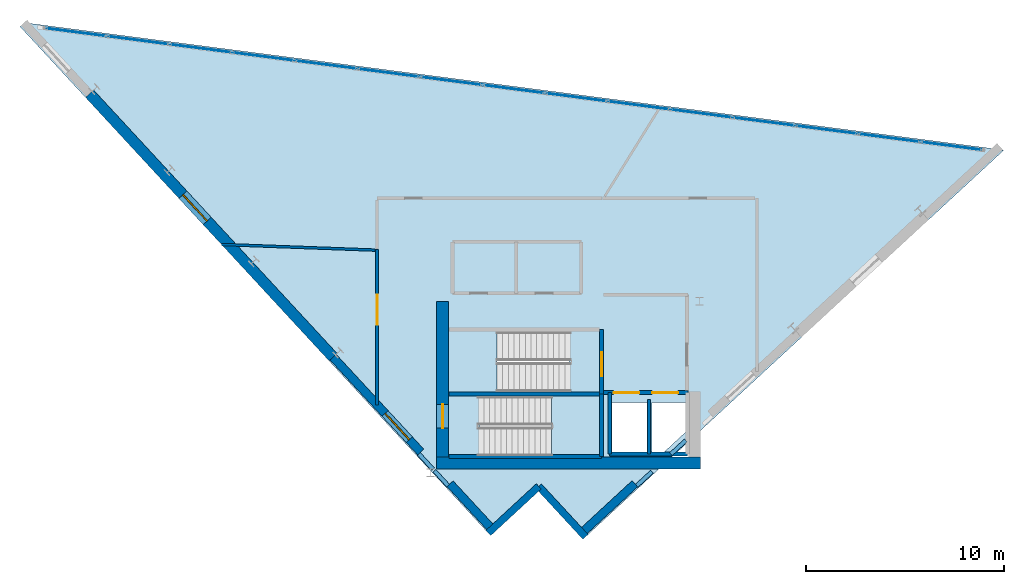
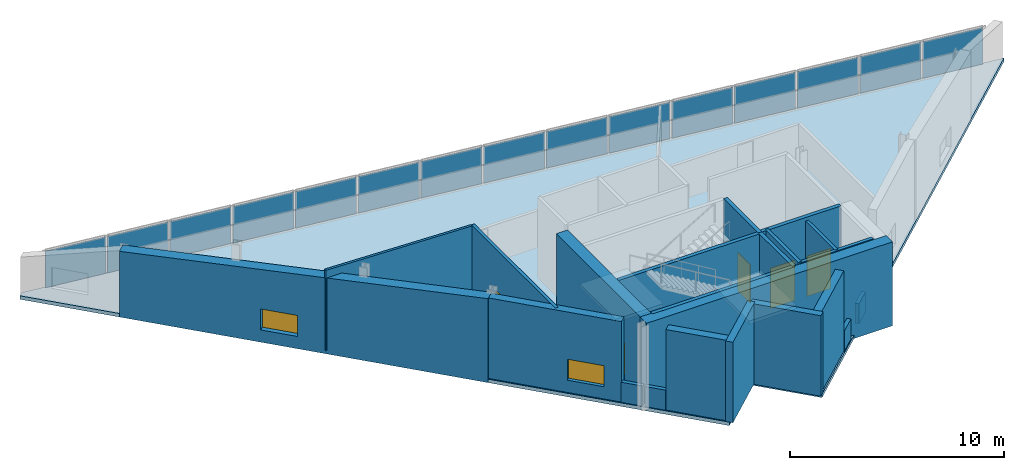
# One storey, part 5 of 7: 22 walls, 15 plates, 5 doors, 3 slabs, 2 windows, 7 openings, 3 elements without a shape of their own.
"""IFC4 building model written with IfcOpenShell, lengths in metres."""

from ifc_helpers import new_model, si_unit, direction, frame, frame_2d, origin, origin_2d, place, context, subcontext, project, spatial, polyline, rectangle, outline, extrude, material, layer, layer_set, type_object, element, fill, aggregate, save


model = new_model("IFC4")

# Units and contexts
model_context = context("Model", 3, precision=1e-05, world=origin(), true_north=direction((0.0, 1.0)))
body_context = subcontext(model_context, "Body", "Model", "MODEL_VIEW")
ifc_project = project(units=[si_unit("LENGTHUNIT", "METRE"), si_unit("AREAUNIT", "SQUARE_METRE"), si_unit("VOLUMEUNIT", "CUBIC_METRE"), si_unit("PLANEANGLEUNIT", "RADIAN"), si_unit("MASSUNIT", "GRAM", prefix="KILO")], contexts=[model_context])

# Site, building, storey
site_placement = place(None, origin())
site = spatial("IfcSite", under=ifc_project, at=site_placement, CompositionType="ELEMENT")
building_placement = place(site_placement, origin())
building = spatial("IfcBuilding", under=site, at=building_placement, Name="Narakoshi Arena Tower", CompositionType="ELEMENT")
storey_placement = place(building_placement, frame((0.0, 0.0, 312.580078125)))
storey = spatial("IfcBuildingStorey", under=building, at=storey_placement, Name="L84", CompositionType="ELEMENT", Elevation=312.580078125)

# Curtain wall, plates
ifc_material_1 = material(Name="Anodised bronze aluminium 6063-T6", Category="aluminium")
curtain_wall_type = type_object("IfcCurtainWallType", Name="CW-CRN-FACET", PredefinedType="NOTDEFINED", material=ifc_material_1)
curtain_wall_placement = place(storey_placement, origin())
curtain_wall = element("IfcCurtainWall", 1, at=curtain_wall_placement, inside=storey, type_object=curtain_wall_type, Name="L84 Slanted-Cut Crown Curtain Wall 5-1", PredefinedType="NOTDEFINED")
ifc_material_2 = material(Name="Bronze-tinted low-E laminated glass", Category="glass")
ifc_layer_1 = layer(ifc_material_2, 0.0439453125)
ifc_layer_set_1 = layer_set([ifc_layer_1], Name="Bronze-tinted low-E laminated glass")
plate_type = type_object("IfcPlateType", Name="PLT-GLZ-44", PredefinedType="CURTAIN_PANEL", material=ifc_layer_set_1)
plate_1_placement = place(storey_placement, frame((54.12939453125, 56.9140625, 0.06982421875), z_axis=(0.0, 0.0, 1.0), x_axis=(0.991658934211, -0.128889713319, 0.0)))
plate_1 = element("IfcPlate", 2, at=plate_1_placement, type_object=plate_type, Name="CW-06 panel 1.1", PredefinedType="CURTAIN_PANEL", context=body_context, shape_type="SweptSolid", body=[
    extrude(rectangle(XDim=3.060791015625, YDim=0.0439453125, at=origin_2d()), origin(), (0.0, 0.0, 1.0), 2.081787109375),
])
plate_2_placement = place(storey_placement, frame((57.263671875, 56.506591796875, 0.06982421875), z_axis=(0.0, 0.0, 1.0), x_axis=(0.991658934211, -0.128889713319, 0.0)))
plate_2 = element("IfcPlate", 3, at=plate_2_placement, type_object=plate_type, Name="CW-06 panel 2.1", PredefinedType="CURTAIN_PANEL", context=body_context, shape_type="SweptSolid", body=[
    extrude(rectangle(XDim=3.1005859375, YDim=0.0439453125, at=origin_2d()), origin(), (0.0, 0.0, 1.0), 2.081787109375),
])
plate_3_placement = place(storey_placement, frame((60.41796875, 56.0966796875, 0.06982421875), z_axis=(0.0, 0.0, 1.0), x_axis=(0.991658934211, -0.128889713319, 0.0)))
plate_3 = element("IfcPlate", 4, at=plate_3_placement, type_object=plate_type, Name="CW-06 panel 3.1", PredefinedType="CURTAIN_PANEL", context=body_context, shape_type="SweptSolid", body=[
    extrude(rectangle(XDim=3.1005859375, YDim=0.0439453125, at=origin_2d()), origin(), (0.0, 0.0, 1.0), 2.081787109375),
])
plate_4_placement = place(storey_placement, frame((63.572021484375, 55.6865234375, 0.06982421875), z_axis=(0.0, 0.0, 1.0), x_axis=(0.991658934211, -0.128889713319, 0.0)))
plate_4 = element("IfcPlate", 5, at=plate_4_placement, type_object=plate_type, Name="CW-06 panel 4.1", PredefinedType="CURTAIN_PANEL", context=body_context, shape_type="SweptSolid", body=[
    extrude(rectangle(XDim=3.1005859375, YDim=0.0439453125, at=origin_2d()), origin(), (0.0, 0.0, 1.0), 2.081787109375),
])
plate_5_placement = place(storey_placement, frame((66.726318359375, 55.276611328125, 0.06982421875), z_axis=(0.0, 0.0, 1.0), x_axis=(0.991658934211, -0.128889713319, 0.0)))
plate_5 = element("IfcPlate", 6, at=plate_5_placement, type_object=plate_type, Name="CW-06 panel 5.1", PredefinedType="CURTAIN_PANEL", context=body_context, shape_type="SweptSolid", body=[
    extrude(rectangle(XDim=3.1005859375, YDim=0.0439453125, at=origin_2d()), origin(), (0.0, 0.0, 1.0), 2.081787109375),
])
plate_6_placement = place(storey_placement, frame((69.88037109375, 54.86669921875, 0.06982421875), z_axis=(0.0, 0.0, 1.0), x_axis=(0.991658934211, -0.128889713319, 0.0)))
plate_6 = element("IfcPlate", 7, at=plate_6_placement, type_object=plate_type, Name="CW-06 panel 6.1", PredefinedType="CURTAIN_PANEL", context=body_context, shape_type="SweptSolid", body=[
    extrude(rectangle(XDim=3.1005859375, YDim=0.0439453125, at=origin_2d()), origin(), (0.0, 0.0, 1.0), 2.081787109375),
])
plate_7_placement = place(storey_placement, frame((73.03466796875, 54.456787109375, 0.06982421875), z_axis=(0.0, 0.0, 1.0), x_axis=(0.991658934211, -0.128889713319, 0.0)))
plate_7 = element("IfcPlate", 8, at=plate_7_placement, type_object=plate_type, Name="CW-06 panel 7.1", PredefinedType="CURTAIN_PANEL", context=body_context, shape_type="SweptSolid", body=[
    extrude(rectangle(XDim=3.1005859375, YDim=0.0439453125, at=origin_2d()), origin(), (0.0, 0.0, 1.0), 2.081787109375),
])
plate_8_placement = place(storey_placement, frame((76.188720703125, 54.046875, 0.06982421875), z_axis=(0.0, 0.0, 1.0), x_axis=(0.991658934211, -0.128889713319, 0.0)))
plate_8 = element("IfcPlate", 9, at=plate_8_placement, type_object=plate_type, Name="CW-06 panel 8.1", PredefinedType="CURTAIN_PANEL", context=body_context, shape_type="SweptSolid", body=[
    extrude(rectangle(XDim=3.1005859375, YDim=0.0439453125, at=origin_2d()), origin(), (0.0, 0.0, 1.0), 2.081787109375),
])
plate_9_placement = place(storey_placement, frame((79.343017578125, 53.63671875, 0.06982421875), z_axis=(0.0, 0.0, 1.0), x_axis=(0.991658934211, -0.128889713319, 0.0)))
plate_9 = element("IfcPlate", 10, at=plate_9_placement, type_object=plate_type, Name="CW-06 panel 9.1", PredefinedType="CURTAIN_PANEL", context=body_context, shape_type="SweptSolid", body=[
    extrude(rectangle(XDim=3.1005859375, YDim=0.0439453125, at=origin_2d()), origin(), (0.0, 0.0, 1.0), 2.081787109375),
])
plate_10_placement = place(storey_placement, frame((82.4970703125, 53.226806640625, 0.06982421875), z_axis=(0.0, 0.0, 1.0), x_axis=(0.991658934211, -0.128889713319, 0.0)))
plate_10 = element("IfcPlate", 11, at=plate_10_placement, type_object=plate_type, Name="CW-06 panel 10.1", PredefinedType="CURTAIN_PANEL", context=body_context, shape_type="SweptSolid", body=[
    extrude(rectangle(XDim=3.1005859375, YDim=0.0439453125, at=origin_2d()), origin(), (0.0, 0.0, 1.0), 2.081787109375),
])
plate_11_placement = place(storey_placement, frame((85.6513671875, 52.81689453125, 0.06982421875), z_axis=(0.0, 0.0, 1.0), x_axis=(0.991658934211, -0.128889713319, 0.0)))
plate_11 = element("IfcPlate", 12, at=plate_11_placement, type_object=plate_type, Name="CW-06 panel 11.1", PredefinedType="CURTAIN_PANEL", context=body_context, shape_type="SweptSolid", body=[
    extrude(rectangle(XDim=3.1005859375, YDim=0.0439453125, at=origin_2d()), origin(), (0.0, 0.0, 1.0), 2.081787109375),
])
plate_12_placement = place(storey_placement, frame((88.805419921875, 52.406982421875, 0.06982421875), z_axis=(0.0, 0.0, 1.0), x_axis=(0.991658934211, -0.128889713319, 0.0)))
plate_12 = element("IfcPlate", 13, at=plate_12_placement, type_object=plate_type, Name="CW-06 panel 12.1", PredefinedType="CURTAIN_PANEL", context=body_context, shape_type="SweptSolid", body=[
    extrude(rectangle(XDim=3.1005859375, YDim=0.0439453125, at=origin_2d()), origin(), (0.0, 0.0, 1.0), 2.081787109375),
])
plate_13_placement = place(storey_placement, frame((91.959716796875, 51.9970703125, 0.06982421875), z_axis=(0.0, 0.0, 1.0), x_axis=(0.991658934211, -0.128889713319, 0.0)))
plate_13 = element("IfcPlate", 14, at=plate_13_placement, type_object=plate_type, Name="CW-06 panel 13.1", PredefinedType="CURTAIN_PANEL", context=body_context, shape_type="SweptSolid", body=[
    extrude(rectangle(XDim=3.1005859375, YDim=0.0439453125, at=origin_2d()), origin(), (0.0, 0.0, 1.0), 2.081787109375),
])
plate_14_placement = place(storey_placement, frame((95.11376953125, 51.587158203125, 0.06982421875), z_axis=(0.0, 0.0, 1.0), x_axis=(0.991658934211, -0.128889713319, 0.0)))
plate_14 = element("IfcPlate", 15, at=plate_14_placement, type_object=plate_type, Name="CW-06 panel 14.1", PredefinedType="CURTAIN_PANEL", context=body_context, shape_type="SweptSolid", body=[
    extrude(rectangle(XDim=3.1005859375, YDim=0.0439453125, at=origin_2d()), origin(), (0.0, 0.0, 1.0), 2.081787109375),
])
plate_15_placement = place(storey_placement, frame((98.248291015625, 51.1796875, 0.06982421875), z_axis=(0.0, 0.0, 1.0), x_axis=(0.991658934211, -0.128889713319, 0.0)))
plate_15 = element("IfcPlate", 16, at=plate_15_placement, type_object=plate_type, Name="CW-06 panel 15.1", PredefinedType="CURTAIN_PANEL", context=body_context, shape_type="SweptSolid", body=[
    extrude(rectangle(XDim=3.060791015625, YDim=0.0439453125, at=origin_2d()), origin(), (0.0, 0.0, 1.0), 2.081787109375),
])
aggregate(curtain_wall, [plate_1, plate_2, plate_3, plate_4, plate_5, plate_6, plate_7, plate_8, plate_9, plate_10, plate_11, plate_12, plate_13, plate_14, plate_15])

# Stair, slab
ifc_material_3 = material(Name="Concrete C45/55", Category="concrete")
stair_type = type_object("IfcStairType", Name="STR-CRN-480", PredefinedType="TWO_STRAIGHT_RUN_STAIR", material=ifc_material_3)
stair_1_placement = place(storey_placement, origin())
stair_1 = element("IfcStair", 17, at=stair_1_placement, inside=storey, type_object=stair_type, Name="L84 Core Escape Stair ST1", PredefinedType="TWO_STRAIGHT_RUN_STAIR")
ifc_layer_2 = layer(ifc_material_3, 0.18994140625)
ifc_layer_set_2 = layer_set([ifc_layer_2], Name="Concrete C45/55")
slab_type_1 = type_object("IfcSlabType", Name="SLB-LND-190", PredefinedType="LANDING", material=ifc_layer_set_2)
slab_1_placement = place(storey_placement, frame((0.0, 0.0, 2.2099609375)))
slab_1 = element("IfcSlab", 18, at=slab_1_placement, type_object=slab_type_1, Name="ST1 landing 1", PredefinedType="LANDING", context=body_context, shape_type="SweptSolid", body=[
    extrude(outline(polyline([(78.10498046875, 35.3701171875), (80.679931640625, 35.3701171875), (80.679931640625, 38.72998046875), (78.10498046875, 38.72998046875), (78.10498046875, 35.3701171875)])), origin(), (0.0, 0.0, 1.0), 0.18994140625),
])
aggregate(stair_1, [slab_1])

stair_2_placement = place(storey_placement, origin())
stair_2 = element("IfcStair", 19, at=stair_2_placement, inside=storey, type_object=stair_type, Name="L84 Core Escape Stair ST2", PredefinedType="TWO_STRAIGHT_RUN_STAIR")
slab_2_placement = place(storey_placement, frame((0.0, 0.0, 2.2099609375)))
slab_2 = element("IfcSlab", 20, at=slab_2_placement, type_object=slab_type_1, Name="ST2 landing 1", PredefinedType="LANDING", context=body_context, shape_type="SweptSolid", body=[
    extrude(outline(polyline([(72.77001953125, 38.6201171875), (75.344970703125, 38.6201171875), (75.344970703125, 41.97998046875), (72.77001953125, 41.97998046875), (72.77001953125, 38.6201171875)])), origin(), (0.0, 0.0, 1.0), 0.18994140625),
])
aggregate(stair_2, [slab_2])

# Slab
ifc_layer_3 = layer(ifc_material_3, 0.199951171875)
ifc_layer_set_3 = layer_set([ifc_layer_3], Name="Concrete C45/55")
slab_type_2 = type_object("IfcSlabType", Name="SLB-TWR-200", PredefinedType="FLOOR", material=ifc_layer_set_3)
slab_3_placement = place(storey_placement, frame((0.0, 0.0, -0.2001953125)))
element("IfcSlab", 21, at=slab_3_placement, inside=storey, type_object=slab_type_2, Name="L84 Structural Floor Slab", PredefinedType="FLOOR", context=body_context, shape_type="SweptSolid", body=[
    extrude(outline(polyline([(79.8056640625, 31.47216796875), (77.45068359375, 34.01953125), (74.9033203125, 31.664794921875), (51.298095703125, 57.200439453125), (51.50927734375, 57.395751953125), (100.904296875, 50.9755859375), (79.8056640625, 31.47216796875)]), holes=[polyline([(80.5, 38.550048828125), (80.5, 35.550048828125), (74.47998046875, 35.550048828125), (74.47998046875, 38.550048828125), (80.5, 38.550048828125)]), polyline([(82.89990234375, 38.25), (82.89990234375, 35.75), (81.14990234375, 35.75), (81.14990234375, 38.25), (82.89990234375, 38.25)]), polyline([(84.89990234375, 38.25), (84.89990234375, 36.794189453125), (83.7705078125, 35.75), (83.14990234375, 35.75), (83.14990234375, 38.25), (84.89990234375, 38.25)]), polyline([(78.969970703125, 41.800048828125), (78.969970703125, 38.800048828125), (72.949951171875, 38.800048828125), (72.949951171875, 41.800048828125), (78.969970703125, 41.800048828125)])]), origin(), (0.0, 0.0, 1.0), 0.2001953125),
])

# Wall, opening, door
ifc_material_4 = material(Name="Concrete C50/60", Category="concrete")
ifc_layer_4 = layer(ifc_material_4, 0.60009765625)
ifc_layer_set_4 = layer_set([ifc_layer_4], Name="Concrete C50/60")
wall_type_1 = type_object("IfcWallType", Name="WL-CORE-600", PredefinedType="SHEAR", material=ifc_layer_set_4)
wall_1_placement = place(storey_placement, frame((72.60009765625, 35.5, -0.2001953125), z_axis=(0.0, 0.0, 1.0), x_axis=(0.0, 1.0, 0.0)))
wall_1 = element("IfcWall", 22, at=wall_1_placement, inside=storey, type_object=wall_type_1, Name="L84 Central Core Shear Wall CW-APX-W", PredefinedType="SHEAR", context=body_context, shape_type="SweptSolid", body=[
    extrude(rectangle(XDim=7.85009765625, YDim=0.60009765625, at=frame_2d((3.925048828125, 0.0))), origin(), (0.0, 0.0, 1.0), 4.800048828125),
])
opening_1_placement = place(wall_1_placement, frame((1.449951171875, 0.0, 0.199951171875)))
opening_1 = element("IfcOpeningElement", 23, at=opening_1_placement, cuts=wall_1, Name="Opening D-03", PredefinedType="OPENING", context=body_context, shape_type="SweptSolid", body=[
    extrude(rectangle(XDim=1.199951171875, YDim=2.199951171875, at=frame_2d((0.60009765625, 1.10009765625))), frame((0.0, 0.31005859375, 0.0), z_axis=(0.0, -1.0, 0.0), x_axis=(1.0, 0.0, 0.0)), (0.0, 0.0, 1.0), 0.6201171875),
])
ifc_material_5 = material(Name="Painted galvanized steel", Category="steel")
door_type_1 = type_object("IfcDoorType", Name="DR-STR-1200", OperationType="NOTDEFINED", PredefinedType="USERDEFINED", material=ifc_material_5)
door_1_placement = place(opening_1_placement, frame((1.199951171875, 0.0, 0.0), z_axis=(0.0, 0.0, 1.0), x_axis=(-1.0, 0.0, 0.0)))
door_1 = element("IfcDoor", 24, at=door_1_placement, inside=storey, type_object=door_type_1, Name="DR-L84-001", ObjectType="EXITDOOR", OperationType="SINGLE_SWING_LEFT", OverallHeight=2.199951171875, OverallWidth=1.199951171875, PredefinedType="USERDEFINED", context=body_context, shape_type="SweptSolid", body=[
    extrude(rectangle(XDim=1.199951171875, YDim=2.199951171875, at=frame_2d((0.60009765625, 1.10009765625))), frame((0.0, 0.02490234375, 0.0), z_axis=(0.0, -1.0, 0.0), x_axis=(1.0, 0.0, 0.0)), (0.0, 0.0, 1.0), 0.050048828125),
])
fill(opening_1, door_1)

# Wall
wall_2_placement = place(storey_placement, frame((72.300048828125, 35.199951171875, -0.2001953125), z_axis=(0.0, 0.0, 1.0), x_axis=(1.0, 0.0, 0.0)))
element("IfcWall", 25, at=wall_2_placement, inside=storey, type_object=wall_type_1, Name="L84 Central Core Shear Wall CW-APX-S", PredefinedType="SHEAR", context=body_context, shape_type="SweptSolid", body=[
    extrude(rectangle(XDim=13.300048828125, YDim=0.60009765625, at=frame_2d((6.64990234375, 0.0))), origin(), (0.0, 0.0, 1.0), 4.800048828125),
])

# Wall, opening, door
ifc_material_6 = material(Name="Gypsum plasterboard fire-rated partition")
ifc_layer_5 = layer(ifc_material_6, 0.1650390625)
ifc_layer_set_5 = layer_set([ifc_layer_5], Name="Gypsum plasterboard fire-rated partition")
wall_type_2 = type_object("IfcWallType", Name="WL-CORR-165", PredefinedType="PARTITIONING", material=ifc_layer_set_5)
wall_3_placement = place(storey_placement, frame((69.300048828125, 45.961181640625, 0.0), z_axis=(0.0, 0.0, 1.0), x_axis=(0.0, -1.0, 0.0)))
wall_3 = element("IfcWall", 26, at=wall_3_placement, inside=storey, type_object=wall_type_2, Name="L84 Corridor Partition 01-1", PredefinedType="PARTITIONING", context=body_context, shape_type="SweptSolid", body=[
    extrude(rectangle(XDim=7.85205078125, YDim=0.1650390625, at=frame_2d((3.926025390625, 0.0))), origin(), (0.0, 0.0, 1.0), 4.599853515625),
])
opening_2_placement = place(wall_3_placement, frame((2.283203125, 0.0, 0.0)))
opening_2 = element("IfcOpeningElement", 27, at=opening_2_placement, cuts=wall_3, Name="Opening D-09", PredefinedType="OPENING", context=body_context, shape_type="SweptSolid", body=[
    extrude(rectangle(XDim=1.5, YDim=2.25, at=frame_2d((0.75, 1.125))), frame((0.0, 0.092529296875, 0.0), z_axis=(0.0, -1.0, 0.0), x_axis=(1.0, 0.0, 0.0)), (0.0, 0.0, 1.0), 0.18505859375),
])
door_type_2 = type_object("IfcDoorType", Name="DR-PLT-1500", OperationType="DOUBLE_DOOR_SINGLE_SWING", PredefinedType="DOOR", material=ifc_material_5)
door_2_placement = place(opening_2_placement, frame((1.5, 0.0, 0.0), z_axis=(0.0, 0.0, 1.0), x_axis=(-1.0, 0.0, 0.0)))
door_2 = element("IfcDoor", 28, at=door_2_placement, inside=storey, type_object=door_type_2, Name="DR-L84-008", OperationType="DOUBLE_DOOR_SINGLE_SWING", OverallHeight=2.25, OverallWidth=1.5, PredefinedType="DOOR", context=body_context, shape_type="SweptSolid", body=[
    extrude(rectangle(XDim=1.5, YDim=2.25, at=frame_2d((0.75, 1.125))), frame((0.0, 0.02490234375, 0.0), z_axis=(0.0, -1.0, 0.0), x_axis=(1.0, 0.0, 0.0)), (0.0, 0.0, 1.0), 0.050048828125),
])
fill(opening_2, door_2)

# Wall, opening, window
ifc_layer_6 = layer(ifc_material_4, 0.550048828125)
ifc_layer_set_6 = layer_set([ifc_layer_6], Name="Concrete C50/60")
wall_type_3 = type_object("IfcWallType", Name="WL-LEG-550", PredefinedType="SHEAR", material=ifc_layer_set_6)
wall_4_placement = place(storey_placement, frame((54.804931640625, 53.81201171875, -0.2001953125), z_axis=(0.0, 0.0, 1.0), x_axis=(0.678803115619, -0.734320318543, 0.0)))
wall_4 = element("IfcWall", 29, at=wall_4_placement, inside=storey, type_object=wall_type_3, Name="L84 Architectural Concrete Structural Wall LEGB-2", PredefinedType="SHEAR", context=body_context, shape_type="SweptSolid", body=[
    extrude(outline(polyline([(0.0, 0.0), (18.082763671875, 0.0), (18.082763671875, 4.800048828125), (0.0, 3.755126953125), (0.0, 0.0)])), frame((0.0, 0.27490234375, 0.0), z_axis=(0.0, -1.0, 0.0), x_axis=(1.0, 0.0, 0.0)), (0.0, 0.0, 1.0), 0.550048828125),
])
opening_3_placement = place(wall_4_placement, frame((6.934326171875, 0.0, 0.699951171875)))
opening_3 = element("IfcOpeningElement", 30, at=opening_3_placement, cuts=wall_4, Name="Opening WN-05", PredefinedType="OPENING", context=body_context, shape_type="SweptSolid", body=[
    extrude(rectangle(XDim=1.800048828125, YDim=1.199951171875, at=frame_2d((0.89990234375, 0.60009765625))), frame((0.0, 0.284912109375, 0.0), z_axis=(0.0, -1.0, 0.0), x_axis=(1.0, 0.0, 0.0)), (0.0, 0.0, 1.0), 0.570068359375),
])
window_type = type_object("IfcWindowType", Name="WIN-SLT-18x12", PartitioningType="SINGLE_PANEL", PredefinedType="WINDOW", material=ifc_material_2)
window_1_placement = place(opening_3_placement, origin())
window_1 = element("IfcWindow", 31, at=window_1_placement, inside=storey, type_object=window_type, Name="L84 LEGB2 Horizontal Slot Window 1", OverallHeight=1.199951171875, OverallWidth=1.800048828125, PartitioningType="SINGLE_PANEL", PredefinedType="WINDOW", context=body_context, shape_type="SweptSolid", body=[
    extrude(rectangle(XDim=1.800048828125, YDim=1.199951171875, at=frame_2d((0.89990234375, 0.60009765625))), frame((0.0, 0.030029296875, 0.0), z_axis=(0.0, -1.0, 0.0), x_axis=(1.0, 0.0, 0.0)), (0.0, 0.0, 1.0), 0.06005859375),
])
fill(opening_3, window_1)

# Walls
ifc_material_7 = material(Name="Precast concrete C45/55", Category="concrete")
ifc_layer_7 = layer(ifc_material_7, 0.25)
ifc_layer_set_7 = layer_set([ifc_layer_7], Name="Precast concrete C45/55")
wall_type_4 = type_object("IfcWallType", Name="WL-PARA-250", PredefinedType="PARAPET", material=ifc_layer_set_7)
wall_5_placement = place(storey_placement, frame((72.881103515625, 34.058349609375, 0.0), z_axis=(0.0, 0.0, 1.0), x_axis=(-0.678872530156, 0.734256145905, 0.0)))
element("IfcWall", 32, at=wall_5_placement, inside=storey, type_object=wall_type_4, Name="L84 Crown Sill Upstand Parapet 01", PredefinedType="PARAPET", context=body_context, shape_type="SweptSolid", body=[
    extrude(rectangle(XDim=1.009521484375, YDim=0.199951171875, at=frame_2d((0.5048828125, 0.0))), origin(), (0.0, 0.0, 1.0), 1.14990234375),
])
wall_6_placement = place(storey_placement, frame((72.114990234375, 34.88720703125, 0.0), z_axis=(0.0, 0.0, 1.0), x_axis=(-0.678713667452, 0.734402994012, 0.0)))
element("IfcWall", 33, at=wall_6_placement, inside=storey, type_object=wall_type_4, Name="L84 Crown Sill Upstand Parapet 02", PredefinedType="PARAPET", context=body_context, shape_type="SweptSolid", body=[
    extrude(rectangle(XDim=1.05224609375, YDim=0.199951171875, at=frame_2d((0.526123046875, 0.0))), origin(), (0.0, 0.0, 1.0), 1.14990234375),
])
wall_7_placement = place(storey_placement, frame((84.860107421875, 36.3349609375, 0.0), z_axis=(0.0, 0.0, 1.0), x_axis=(-0.734337093013, -0.678784968768, 0.0)))
element("IfcWall", 34, at=wall_7_placement, inside=storey, type_object=wall_type_4, Name="L84 Crown Sill Upstand Parapet 05", PredefinedType="PARAPET", context=body_context, shape_type="SweptSolid", body=[
    extrude(rectangle(XDim=1.02392578125, YDim=0.199951171875, at=frame_2d((0.511962890625, 0.0))), origin(), (0.0, 0.0, 1.0), 1.14990234375),
])
wall_8_placement = place(storey_placement, frame((83.15625, 34.760009765625, 0.0), z_axis=(0.0, 0.0, 1.0), x_axis=(-0.734364355784, -0.678755473609, 0.0)))
element("IfcWall", 35, at=wall_8_placement, inside=storey, type_object=wall_type_4, Name="L84 Crown Sill Upstand Parapet 06", PredefinedType="PARAPET", context=body_context, shape_type="SweptSolid", body=[
    extrude(rectangle(XDim=1.044921875, YDim=0.199951171875, at=frame_2d((0.5224609375, 0.0))), origin(), (0.0, 0.0, 1.0), 1.14990234375),
])
ifc_layer_8 = layer(ifc_material_6, 0.125)
ifc_layer_set_8 = layer_set([ifc_layer_8], Name="Gypsum plasterboard fire-rated partition")
wall_type_5 = type_object("IfcWallType", Name="WL-PART-125", PredefinedType="PARTITIONING", material=ifc_layer_set_8)
wall_9_placement = place(storey_placement, frame((61.455078125, 46.212890625, 0.0), z_axis=(0.0, 0.0, 1.0), x_axis=(0.999328477897, -0.036641414612, 0.0)))
element("IfcWall", 36, at=wall_9_placement, inside=storey, type_object=wall_type_5, Name="L84 Inter-Room Partition 01-03", PredefinedType="PARTITIONING", context=body_context, shape_type="SweptSolid", body=[
    extrude(rectangle(XDim=7.755615234375, YDim=0.125, at=frame_2d((3.8779296875, 0.0))), origin(), (0.0, 0.0, 1.0), 4.599853515625),
])
ifc_layer_9 = layer(ifc_material_7, 0.419921875)
ifc_layer_set_9 = layer_set([ifc_layer_9], Name="Precast concrete C45/55")
wall_type_6 = type_object("IfcWallType", Name="WL-POD-420", PredefinedType="SOLIDWALL", material=ifc_layer_set_9)
wall_10_placement = place(storey_placement, frame((79.618896484375, 31.674072265625, 0.0), z_axis=(0.0, 0.0, 1.0), x_axis=(0.734338793707, 0.678783128884, 0.0)))
element("IfcWall", 37, at=wall_10_placement, inside=storey, type_object=wall_type_6, Name="L84 Architectural Concrete Facade Wall LEGA-1", PredefinedType="SOLIDWALL", context=body_context, shape_type="SweptSolid", body=[
    extrude(outline(polyline([(0.0, 0.0), (3.6474609375, 0.0), (3.647705078125, 4.599853515625), (0.0, 4.599853515625), (0.0, 0.0)])), frame((0.0, 0.2099609375, 0.0), z_axis=(0.0, -1.0, 0.0), x_axis=(1.0, 0.0, 0.0)), (0.0, 0.0, 1.0), 0.419921875),
])

# Wall, opening, window
wall_11_placement = place(storey_placement, frame((67.07958984375, 40.533447265625, 0.0), z_axis=(0.0, 0.0, 1.0), x_axis=(0.678800006437, -0.734323192648, 0.0)))
wall_11 = element("IfcWall", 38, at=wall_11_placement, inside=storey, type_object=wall_type_6, Name="L84 Architectural Concrete Facade Wall LEGB-3", PredefinedType="SOLIDWALL", context=body_context, shape_type="SweptSolid", body=[
    extrude(outline(polyline([(0.0, 0.0), (6.51220703125, 0.0), (6.51220703125, 4.599853515625), (0.0, 4.599853515625), (0.0, 0.0)])), frame((0.0, 0.2099609375, 0.0), z_axis=(0.0, -1.0, 0.0), x_axis=(1.0, 0.0, 0.0)), (0.0, 0.0, 1.0), 0.419921875),
])
opening_4_placement = place(wall_11_placement, frame((3.865234375, 0.0, 0.699951171875)))
opening_4 = element("IfcOpeningElement", 39, at=opening_4_placement, cuts=wall_11, Name="Opening WN-05", PredefinedType="OPENING", context=body_context, shape_type="SweptSolid", body=[
    extrude(rectangle(XDim=1.800048828125, YDim=1.199951171875, at=frame_2d((0.89990234375, 0.60009765625))), frame((0.0, 0.219970703125, 0.0), z_axis=(0.0, -1.0, 0.0), x_axis=(1.0, 0.0, 0.0)), (0.0, 0.0, 1.0), 0.43994140625),
])
window_2_placement = place(opening_4_placement, origin())
window_2 = element("IfcWindow", 40, at=window_2_placement, inside=storey, type_object=window_type, Name="L84 LEGB3 Horizontal Slot Window 1", OverallHeight=1.199951171875, OverallWidth=1.800048828125, PartitioningType="SINGLE_PANEL", PredefinedType="WINDOW", context=body_context, shape_type="SweptSolid", body=[
    extrude(rectangle(XDim=1.800048828125, YDim=1.199951171875, at=frame_2d((0.89990234375, 0.60009765625))), frame((0.0, 0.030029296875, 0.0), z_axis=(0.0, -1.0, 0.0), x_axis=(1.0, 0.0, 0.0)), (0.0, 0.0, 1.0), 0.06005859375),
])
fill(opening_4, window_2)

# Walls
wall_12_placement = place(storey_placement, frame((72.980224609375, 34.14990234375, 0.0), z_axis=(0.0, 0.0, 1.0), x_axis=(0.67879500555, -0.73432781538, 0.0)))
element("IfcWall", 41, at=wall_12_placement, inside=storey, type_object=wall_type_6, Name="L84 Architectural Concrete Facade Wall LEGB-4", PredefinedType="SOLIDWALL", context=body_context, shape_type="SweptSolid", body=[
    extrude(outline(polyline([(0.0, 0.0), (3.130126953125, 0.0), (3.13037109375, 4.599853515625), (0.0, 4.599853515625), (0.0, 0.0)])), frame((0.0, 0.2099609375, 0.0), z_axis=(0.0, -1.0, 0.0), x_axis=(1.0, 0.0, 0.0)), (0.0, 0.0, 1.0), 0.419921875),
])
wall_13_placement = place(storey_placement, frame((74.9033203125, 31.664794921875, 0.0), z_axis=(0.0, 0.0, 1.0), x_axis=(0.734325680362, 0.678797315228, 0.0)))
element("IfcWall", 42, at=wall_13_placement, inside=storey, type_object=wall_type_6, Name="L84 Re-Entrant Corner Notch Wall NTA-1", PredefinedType="SOLIDWALL", context=body_context, shape_type="SweptSolid", body=[
    extrude(rectangle(XDim=3.468994140625, YDim=0.360107421875, at=frame_2d((1.734375, 0.0))), origin(), (0.0, 0.0, 1.0), 4.599853515625),
])
wall_14_placement = place(storey_placement, frame((77.45068359375, 34.01953125, 0.0), z_axis=(0.0, 0.0, 1.0), x_axis=(0.678835262818, -0.734290600481, 0.0)))
element("IfcWall", 43, at=wall_14_placement, inside=storey, type_object=wall_type_6, Name="L84 Re-Entrant Corner Notch Wall NTA-2", PredefinedType="SOLIDWALL", context=body_context, shape_type="SweptSolid", body=[
    extrude(rectangle(XDim=3.46923828125, YDim=0.360107421875, at=frame_2d((1.734619140625, 0.0))), origin(), (0.0, 0.0, 1.0), 4.599853515625),
])
ifc_material_8 = material(Name="Concrete C40/50", Category="concrete")
ifc_layer_10 = layer(ifc_material_8, 0.280029296875)
ifc_layer_set_10 = layer_set([ifc_layer_10], Name="Concrete C40/50")
wall_type_7 = type_object("IfcWallType", Name="WL-RISER-280", PredefinedType="PLUMBINGWALL", material=ifc_layer_set_10)
wall_15_placement = place(storey_placement, frame((83.0, 35.64990234375, 0.0), z_axis=(0.0, 0.0, 1.0), x_axis=(0.0, 1.0, 0.0)))
element("IfcWall", 44, at=wall_15_placement, inside=storey, type_object=wall_type_7, Name="L84 Core Wall FF-DIV", PredefinedType="PLUMBINGWALL", context=body_context, shape_type="SweptSolid", body=[
    extrude(rectangle(XDim=2.75, YDim=0.159912109375, at=frame_2d((1.375, 0.0))), origin(), (0.0, 0.0, 1.0), 4.599853515625),
])
ifc_layer_11 = layer(ifc_material_4, 0.35009765625)
ifc_layer_set_11 = layer_set([ifc_layer_11], Name="Concrete C50/60")
wall_type_8 = type_object("IfcWallType", Name="WL-SHAFT-350", PredefinedType="SOLIDWALL", material=ifc_layer_set_11)
for number, where, z_axis, x_axis, name in (
    (45, (72.919921875, 35.52001953125, -0.2001953125), (0.0, 0.0, 1.0), (1.0, 0.0, 0.0), "L84 Core Wall ST1-S"),
    (46, (72.919921875, 38.675048828125, -0.2001953125), (0.0, 0.0, 1.0), (1.0, 0.0, 0.0), "L84 Core Wall ST12-DIV"),
):
    element("IfcWall", number, at=place(storey_placement, frame(where, z_axis=z_axis, x_axis=x_axis)), inside=storey, type_object=wall_type_8, Name=name, PredefinedType="SOLIDWALL", context=body_context, shape_type="SweptSolid", body=[
        extrude(rectangle(XDim=7.7001953125, YDim=0.199951171875, at=frame_2d((3.85009765625, 0.0))), origin(), (0.0, 0.0, 1.0), 4.800048828125),
    ])
wall_16_placement = place(storey_placement, frame((80.6201171875, 35.52001953125, -0.2001953125), z_axis=(0.0, 0.0, 1.0), x_axis=(0.0, 1.0, 0.0)))
element("IfcWall", 47, at=wall_16_placement, inside=storey, type_object=wall_type_8, Name="L84 Core Wall ST1-E", PredefinedType="SOLIDWALL", context=body_context, shape_type="SweptSolid", body=[
    extrude(rectangle(XDim=3.155029296875, YDim=0.199951171875, at=frame_2d((1.57763671875, 0.0))), origin(), (0.0, 0.0, 1.0), 4.800048828125),
])

# Wall, opening, door
wall_17_placement = place(storey_placement, frame((80.6201171875, 38.675048828125, -0.2001953125), z_axis=(0.0, 0.0, 1.0), x_axis=(0.0, 1.0, 0.0)))
wall_17 = element("IfcWall", 48, at=wall_17_placement, inside=storey, type_object=wall_type_8, Name="L84 Core Wall ST2-E", PredefinedType="SOLIDWALL", context=body_context, shape_type="SweptSolid", body=[
    extrude(rectangle(XDim=3.244873046875, YDim=0.199951171875, at=frame_2d((1.62255859375, 0.0))), origin(), (0.0, 0.0, 1.0), 4.800048828125),
])
opening_5_placement = place(wall_17_placement, frame((0.89990234375, 0.0, 0.199951171875)))
opening_5 = element("IfcOpeningElement", 49, at=opening_5_placement, cuts=wall_17, Name="Opening D-03", PredefinedType="OPENING", context=body_context, shape_type="SweptSolid", body=[
    extrude(rectangle(XDim=1.199951171875, YDim=2.199951171875, at=frame_2d((0.60009765625, 1.10009765625))), frame((0.0, 0.10986328125, 0.0), z_axis=(0.0, -1.0, 0.0), x_axis=(1.0, 0.0, 0.0)), (0.0, 0.0, 1.0), 0.219970703125),
])
door_3_placement = place(opening_5_placement, origin())
door_3 = element("IfcDoor", 50, at=door_3_placement, inside=storey, type_object=door_type_1, Name="DR-L84-002", ObjectType="EXITDOOR", OperationType="SINGLE_SWING_RIGHT", OverallHeight=2.199951171875, OverallWidth=1.199951171875, PredefinedType="USERDEFINED", context=body_context, shape_type="SweptSolid", body=[
    extrude(rectangle(XDim=1.199951171875, YDim=2.199951171875, at=frame_2d((0.60009765625, 1.10009765625))), frame((0.0, 0.02490234375, 0.0), z_axis=(0.0, -1.0, 0.0), x_axis=(1.0, 0.0, 0.0)), (0.0, 0.0, 1.0), 0.050048828125),
])
fill(opening_5, door_3)

# Wall, openings, doors
wall_18_placement = place(storey_placement, frame((80.719970703125, 38.75, 0.0), z_axis=(0.0, 0.0, 1.0), x_axis=(1.0, 0.0, 0.0)))
wall_18 = element("IfcWall", 51, at=wall_18_placement, inside=storey, type_object=wall_type_8, Name="L84 Core Wall FF-N", PredefinedType="SOLIDWALL", context=body_context, shape_type="SweptSolid", body=[
    extrude(rectangle(XDim=4.260009765625, YDim=0.199951171875, at=frame_2d((2.1298828125, 0.0))), origin(), (0.0, 0.0, 1.0), 4.599853515625),
])
opening_6_placement = place(wall_18_placement, frame((0.5, 0.0, 0.0)))
opening_6 = element("IfcOpeningElement", 52, at=opening_6_placement, cuts=wall_18, Name="Opening LD-02", PredefinedType="OPENING", context=body_context, shape_type="SweptSolid", body=[
    extrude(rectangle(XDim=1.300048828125, YDim=2.300048828125, at=frame_2d((0.64990234375, 1.14990234375))), frame((0.0, 0.10986328125, 0.0), z_axis=(0.0, -1.0, 0.0), x_axis=(1.0, 0.0, 0.0)), (0.0, 0.0, 1.0), 0.219970703125),
])
opening_7_placement = place(wall_18_placement, frame((2.449951171875, 0.0, 0.0)))
opening_7 = element("IfcOpeningElement", 53, at=opening_7_placement, cuts=wall_18, Name="Opening LD-02", PredefinedType="OPENING", context=body_context, shape_type="SweptSolid", body=[
    extrude(rectangle(XDim=1.300048828125, YDim=2.300048828125, at=frame_2d((0.64990234375, 1.14990234375))), frame((0.0, 0.10986328125, 0.0), z_axis=(0.0, -1.0, 0.0), x_axis=(1.0, 0.0, 0.0)), (0.0, 0.0, 1.0), 0.219970703125),
])
ifc_material_9 = material(Name="Brushed bronze stainless steel", Category="steel")
door_type_3 = type_object("IfcDoorType", Name="DR-LFT-1300", OperationType="DOUBLE_DOOR_SLIDING", PredefinedType="DOOR", material=ifc_material_9)
door_4_placement = place(opening_6_placement, origin())
door_4 = element("IfcDoor", 54, at=door_4_placement, inside=storey, type_object=door_type_3, Name="DR-L84-003", OperationType="DOUBLE_DOOR_SLIDING", OverallHeight=2.300048828125, OverallWidth=1.300048828125, PredefinedType="DOOR", context=body_context, shape_type="SweptSolid", body=[
    extrude(rectangle(XDim=1.300048828125, YDim=2.300048828125, at=frame_2d((0.64990234375, 1.14990234375))), frame((0.0, 0.02490234375, 0.0), z_axis=(0.0, -1.0, 0.0), x_axis=(1.0, 0.0, 0.0)), (0.0, 0.0, 1.0), 0.050048828125),
])
fill(opening_6, door_4)
door_5_placement = place(opening_7_placement, origin())
door_5 = element("IfcDoor", 55, at=door_5_placement, inside=storey, type_object=door_type_3, Name="DR-L84-004", OperationType="DOUBLE_DOOR_SLIDING", OverallHeight=2.300048828125, OverallWidth=1.300048828125, PredefinedType="DOOR", context=body_context, shape_type="SweptSolid", body=[
    extrude(rectangle(XDim=1.300048828125, YDim=2.300048828125, at=frame_2d((0.64990234375, 1.14990234375))), frame((0.0, 0.02490234375, 0.0), z_axis=(0.0, -1.0, 0.0), x_axis=(1.0, 0.0, 0.0)), (0.0, 0.0, 1.0), 0.050048828125),
])
fill(opening_7, door_5)

# Walls
wall_19_placement = place(storey_placement, frame((81.02001953125, 35.64990234375, 0.0), z_axis=(0.0, 0.0, 1.0), x_axis=(0.0, 1.0, 0.0)))
element("IfcWall", 56, at=wall_19_placement, inside=storey, type_object=wall_type_8, Name="L84 Core Wall FF-W", PredefinedType="SOLIDWALL", context=body_context, shape_type="SweptSolid", body=[
    extrude(rectangle(XDim=3.10009765625, YDim=0.179931640625, at=frame_2d((1.550048828125, 0.0))), origin(), (0.0, 0.0, 1.0), 4.599853515625),
])
wall_20_placement = place(storey_placement, frame((81.02001953125, 35.64990234375, 0.0), z_axis=(0.0, 0.0, 1.0), x_axis=(1.0, 0.0, 0.0)))
element("IfcWall", 57, at=wall_20_placement, inside=storey, type_object=wall_type_8, Name="L84 Core Wall FF-S", PredefinedType="SOLIDWALL", context=body_context, shape_type="SweptSolid", body=[
    extrude(rectangle(XDim=3.929931640625, YDim=0.179931640625, at=frame_2d((1.96484375, 0.0))), origin(), (0.0, 0.0, 1.0), 4.599853515625),
])

save(model, "model.ifc")
